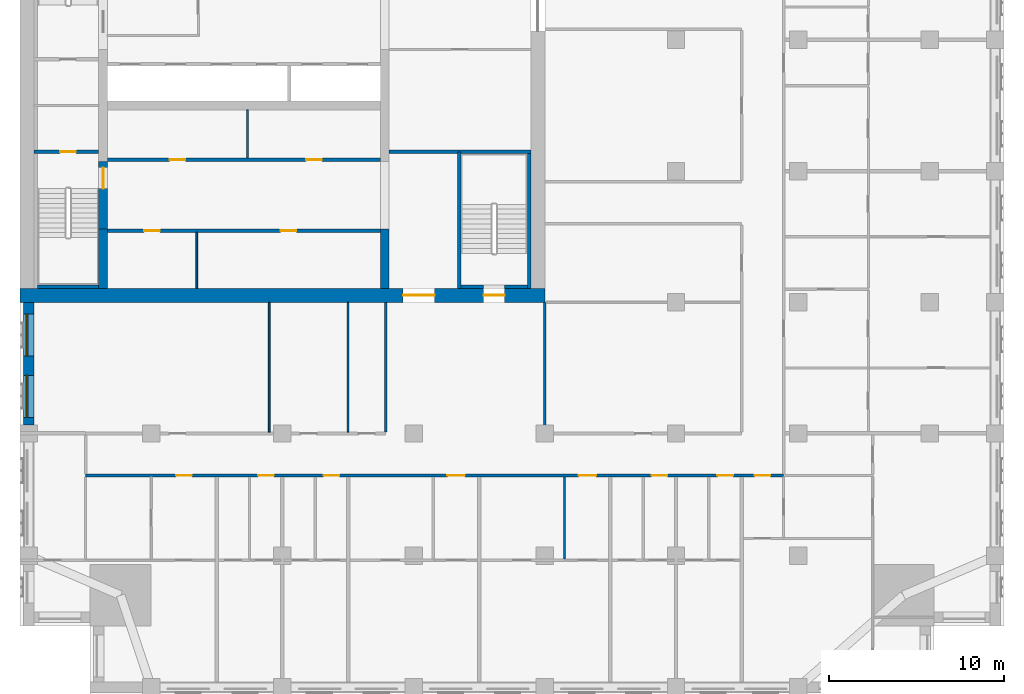
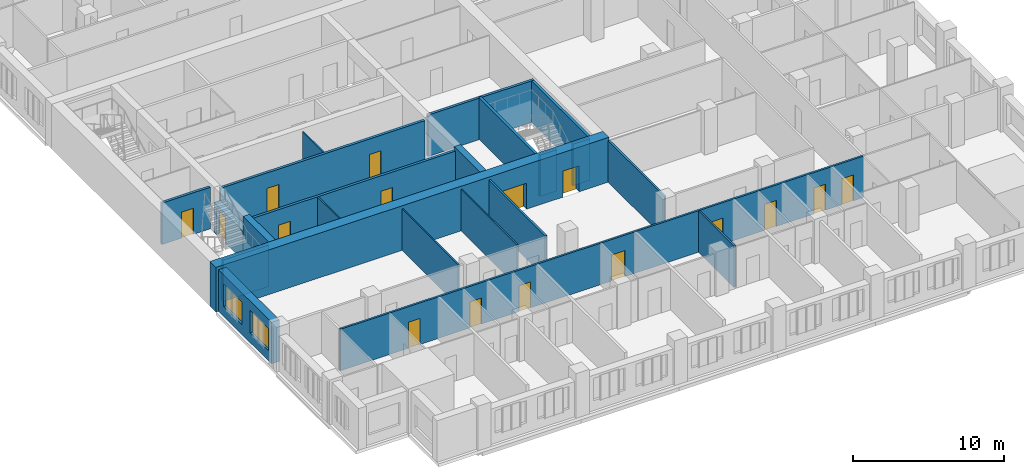
# One storey, part 5 of 14: 22 walls, 16 doors, 2 windows, 18 openings.
"""IFC4 building model written with IfcOpenShell, lengths in metres."""

from ifc_helpers import new_model, si_unit, direction, frame, frame_2d, origin, place, context, subcontext, project, spatial, rectangle, extrude, material, layer, layer_set, type_object, element, fill, save


model = new_model("IFC4")

# Units and contexts
model_context = context("Model", 3, precision=1e-05, world=origin(), true_north=direction((0.0, 1.0)))
body_context = subcontext(model_context, "Body", "Model", "MODEL_VIEW")
ifc_project = project(units=[si_unit("LENGTHUNIT", "METRE"), si_unit("AREAUNIT", "SQUARE_METRE"), si_unit("VOLUMEUNIT", "CUBIC_METRE"), si_unit("PLANEANGLEUNIT", "RADIAN"), si_unit("MASSUNIT", "GRAM", prefix="KILO")], contexts=[model_context])

# Site, building, storey
site_placement = place(None, origin())
site = spatial("IfcSite", under=ifc_project, at=site_placement, CompositionType="ELEMENT")
building_placement = place(site_placement, origin())
building = spatial("IfcBuilding", under=site, at=building_placement, Name="Tamorin Gate", CompositionType="ELEMENT")
storey_placement = place(building_placement, frame((0.0, 0.0, 141.0)))
storey = spatial("IfcBuildingStorey", under=building, at=storey_placement, Name="L34", CompositionType="ELEMENT", Elevation=141.0)

# Wall, openings, windows
ifc_material_1 = material(Name="Precast concrete C40/50", Category="concrete")
ifc_layer_1 = layer(ifc_material_1, 0.60009765625)
ifc_layer_set_1 = layer_set([ifc_layer_1], Name="Precast concrete C40/50")
wall_type_1 = type_object("IfcWallType", Name="Board-marked concrete facade panel 600", PredefinedType="SOLIDWALL", material=ifc_layer_set_1)
wall_1_placement = place(storey_placement, frame((30.5, 60.0, 0.0), z_axis=(0.0, 0.0, 1.0), x_axis=(0.0, -1.0, 0.0)))
wall_1 = element("IfcWall", 1, at=wall_1_placement, inside=storey, type_object=wall_type_1, Name="Facade panel", PredefinedType="SOLIDWALL", context=body_context, shape_type="SweptSolid", body=[
    extrude(rectangle(XDim=7.0, YDim=0.60009765625, at=frame_2d((3.5, 0.0))), origin(), (0.0, 0.0, 1.0), 3.35009765625),
])
opening_1_placement = place(wall_1_placement, frame((4.175048828125, 0.0, 0.800048828125)))
opening_1 = element("IfcOpeningElement", 2, at=opening_1_placement, cuts=wall_1, Name="Opening WN1", PredefinedType="OPENING", context=body_context, shape_type="SweptSolid", body=[
    extrude(rectangle(XDim=2.39990234375, YDim=1.800048828125, at=frame_2d((1.199951171875, 0.89990234375))), frame((0.0, 0.31005859375, 0.0), z_axis=(0.0, -1.0, 0.0), x_axis=(1.0, 0.0, 0.0)), (0.0, 0.0, 1.0), 0.6201171875),
])
opening_2_placement = place(wall_1_placement, frame((0.675048828125, 0.0, 0.800048828125)))
opening_2 = element("IfcOpeningElement", 3, at=opening_2_placement, cuts=wall_1, Name="Opening WN1", PredefinedType="OPENING", context=body_context, shape_type="SweptSolid", body=[
    extrude(rectangle(XDim=2.39990234375, YDim=1.800048828125, at=frame_2d((1.199951171875, 0.89990234375))), frame((0.0, 0.31005859375, 0.0), z_axis=(0.0, -1.0, 0.0), x_axis=(1.0, 0.0, 0.0)), (0.0, 0.0, 1.0), 0.6201171875),
])
ifc_material_2 = material(Name="Clear glass in aluminium frame", Category="aluminium")
window_type = type_object("IfcWindowType", Name="Deep-set window 2400x1800", PartitioningType="SINGLE_PANEL", PredefinedType="WINDOW", material=ifc_material_2)
window_1_placement = place(opening_1_placement, origin())
window_1 = element("IfcWindow", 4, at=window_1_placement, inside=storey, type_object=window_type, Name="Deep-set window", OverallHeight=1.800048828125, OverallWidth=2.39990234375, PartitioningType="SINGLE_PANEL", PredefinedType="WINDOW", context=body_context, shape_type="SweptSolid", body=[
    extrude(rectangle(XDim=2.39990234375, YDim=1.800048828125, at=frame_2d((1.199951171875, 0.89990234375))), frame((0.0, -0.070068359375, 0.0), z_axis=(0.0, -1.0, 0.0), x_axis=(1.0, 0.0, 0.0)), (0.0, 0.0, 1.0), 0.06005859375),
])
fill(opening_1, window_1)
window_2_placement = place(opening_2_placement, origin())
window_2 = element("IfcWindow", 5, at=window_2_placement, inside=storey, type_object=window_type, Name="Deep-set window", OverallHeight=1.800048828125, OverallWidth=2.39990234375, PartitioningType="SINGLE_PANEL", PredefinedType="WINDOW", context=body_context, shape_type="SweptSolid", body=[
    extrude(rectangle(XDim=2.39990234375, YDim=1.800048828125, at=frame_2d((1.199951171875, 0.89990234375))), frame((0.0, -0.070068359375, 0.0), z_axis=(0.0, -1.0, 0.0), x_axis=(1.0, 0.0, 0.0)), (0.0, 0.0, 1.0), 0.06005859375),
])
fill(opening_2, window_2)

# Wall, openings, doors
ifc_material_3 = material(Name="Gypsum board partition")
ifc_layer_2 = layer(ifc_material_3, 0.14990234375)
ifc_layer_set_2 = layer_set([ifc_layer_2], Name="Corridor wall 150")
wall_type_2 = type_object("IfcWallType", Name="Corridor wall 150", PredefinedType="PARTITIONING", material=ifc_layer_set_2)
wall_2_placement = place(storey_placement, frame((33.75, 50.10009765625, 0.0), z_axis=(0.0, 0.0, 1.0), x_axis=(1.0, 0.0, 0.0)))
wall_2 = element("IfcWall", 6, at=wall_2_placement, inside=storey, type_object=wall_type_2, Name="Corridor wall 150", PredefinedType="PARTITIONING", context=body_context, shape_type="SweptSolid", body=[
    extrude(rectangle(XDim=39.89990234375, YDim=0.14990234375, at=frame_2d((19.949951171875, 0.0))), origin(), (0.0, 0.0, 1.0), 3.35009765625),
])
opening_3_placement = place(wall_2_placement, frame((5.175048828125, 0.0, 0.0)))
opening_3 = element("IfcOpeningElement", 7, at=opening_3_placement, cuts=wall_2, Name="Opening DS4003", PredefinedType="OPENING", context=body_context, shape_type="SweptSolid", body=[
    extrude(rectangle(XDim=0.89990234375, YDim=2.10009765625, at=frame_2d((0.449951171875, 1.050048828125))), frame((0.0, 0.0849609375, 0.0), z_axis=(0.0, -1.0, 0.0), x_axis=(1.0, 0.0, 0.0)), (0.0, 0.0, 1.0), 0.169921875),
])
opening_4_placement = place(wall_2_placement, frame((9.862548828125, 0.0, 0.0)))
opening_4 = element("IfcOpeningElement", 8, at=opening_4_placement, cuts=wall_2, Name="Opening DS4006", PredefinedType="OPENING", context=body_context, shape_type="SweptSolid", body=[
    extrude(rectangle(XDim=0.89990234375, YDim=2.10009765625, at=frame_2d((0.449951171875, 1.050048828125))), frame((0.0, 0.0849609375, 0.0), z_axis=(0.0, -1.0, 0.0), x_axis=(1.0, 0.0, 0.0)), (0.0, 0.0, 1.0), 0.169921875),
])
opening_5_placement = place(wall_2_placement, frame((13.612548828125, 0.0, 0.0)))
opening_5 = element("IfcOpeningElement", 9, at=opening_5_placement, cuts=wall_2, Name="Opening DS4009", PredefinedType="OPENING", context=body_context, shape_type="SweptSolid", body=[
    extrude(rectangle(XDim=0.89990234375, YDim=2.10009765625, at=frame_2d((0.449951171875, 1.050048828125))), frame((0.0, 0.0849609375, 0.0), z_axis=(0.0, -1.0, 0.0), x_axis=(1.0, 0.0, 0.0)), (0.0, 0.0, 1.0), 0.169921875),
])
opening_6_placement = place(wall_2_placement, frame((20.6875, 0.0, 0.0)))
opening_6 = element("IfcOpeningElement", 10, at=opening_6_placement, cuts=wall_2, Name="Opening DS4012", PredefinedType="OPENING", context=body_context, shape_type="SweptSolid", body=[
    extrude(rectangle(XDim=1.0, YDim=2.10009765625, at=frame_2d((0.5, 1.050048828125))), frame((0.0, 0.0849609375, 0.0), z_axis=(0.0, -1.0, 0.0), x_axis=(1.0, 0.0, 0.0)), (0.0, 0.0, 1.0), 0.169921875),
])
opening_7_placement = place(wall_2_placement, frame((28.1875, 0.0, 0.0)))
opening_7 = element("IfcOpeningElement", 11, at=opening_7_placement, cuts=wall_2, Name="Opening DS4015", PredefinedType="OPENING", context=body_context, shape_type="SweptSolid", body=[
    extrude(rectangle(XDim=1.0, YDim=2.10009765625, at=frame_2d((0.5, 1.050048828125))), frame((0.0, 0.0849609375, 0.0), z_axis=(0.0, -1.0, 0.0), x_axis=(1.0, 0.0, 0.0)), (0.0, 0.0, 1.0), 0.169921875),
])
opening_8_placement = place(wall_2_placement, frame((32.362548828125, 0.0, 0.0)))
opening_8 = element("IfcOpeningElement", 12, at=opening_8_placement, cuts=wall_2, Name="Opening DS4018", PredefinedType="OPENING", context=body_context, shape_type="SweptSolid", body=[
    extrude(rectangle(XDim=0.89990234375, YDim=2.10009765625, at=frame_2d((0.449951171875, 1.050048828125))), frame((0.0, 0.0849609375, 0.0), z_axis=(0.0, -1.0, 0.0), x_axis=(1.0, 0.0, 0.0)), (0.0, 0.0, 1.0), 0.169921875),
])
opening_9_placement = place(wall_2_placement, frame((36.112548828125, 0.0, 0.0)))
opening_9 = element("IfcOpeningElement", 13, at=opening_9_placement, cuts=wall_2, Name="Opening DS4021", PredefinedType="OPENING", context=body_context, shape_type="SweptSolid", body=[
    extrude(rectangle(XDim=0.89990234375, YDim=2.10009765625, at=frame_2d((0.449951171875, 1.050048828125))), frame((0.0, 0.0849609375, 0.0), z_axis=(0.0, -1.0, 0.0), x_axis=(1.0, 0.0, 0.0)), (0.0, 0.0, 1.0), 0.169921875),
])
opening_10_placement = place(wall_2_placement, frame((38.25, 0.0, 0.0)))
opening_10 = element("IfcOpeningElement", 14, at=opening_10_placement, cuts=wall_2, Name="Opening DS4059", PredefinedType="OPENING", context=body_context, shape_type="SweptSolid", body=[
    extrude(rectangle(XDim=0.89990234375, YDim=2.10009765625, at=frame_2d((0.449951171875, 1.050048828125))), frame((0.0, 0.0849609375, 0.0), z_axis=(0.0, -1.0, 0.0), x_axis=(1.0, 0.0, 0.0)), (0.0, 0.0, 1.0), 0.169921875),
])
ifc_material_4 = material(Name="Timber door leaf", Category="wood")
door_type_1 = type_object("IfcDoorType", Name="Door 1000 x 2100 FD30S", OperationType="NOTDEFINED", PredefinedType="DOOR", material=ifc_material_4)
door_1_placement = place(opening_6_placement, origin())
door_1 = element("IfcDoor", 15, at=door_1_placement, inside=storey, type_object=door_type_1, Name="Door DS4012", OperationType="SINGLE_SWING_RIGHT", OverallHeight=2.10009765625, OverallWidth=1.0, PredefinedType="DOOR", context=body_context, shape_type="SweptSolid", body=[
    extrude(rectangle(XDim=1.0, YDim=2.10009765625, at=frame_2d((0.5, 1.050048828125))), frame((0.0, 0.02490234375, 0.0), z_axis=(0.0, -1.0, 0.0), x_axis=(1.0, 0.0, 0.0)), (0.0, 0.0, 1.0), 0.050048828125),
])
fill(opening_6, door_1)
door_2_placement = place(opening_7_placement, origin())
door_2 = element("IfcDoor", 16, at=door_2_placement, inside=storey, type_object=door_type_1, Name="Door DS4015", OperationType="SINGLE_SWING_RIGHT", OverallHeight=2.10009765625, OverallWidth=1.0, PredefinedType="DOOR", context=body_context, shape_type="SweptSolid", body=[
    extrude(rectangle(XDim=1.0, YDim=2.10009765625, at=frame_2d((0.5, 1.050048828125))), frame((0.0, 0.02490234375, 0.0), z_axis=(0.0, -1.0, 0.0), x_axis=(1.0, 0.0, 0.0)), (0.0, 0.0, 1.0), 0.050048828125),
])
fill(opening_7, door_2)
door_type_2 = type_object("IfcDoorType", Name="Door 900 x 2100 FD30S", OperationType="NOTDEFINED", PredefinedType="DOOR", material=ifc_material_4)
door_3_placement = place(opening_3_placement, origin())
door_3 = element("IfcDoor", 17, at=door_3_placement, inside=storey, type_object=door_type_2, Name="Door DS4003", OperationType="SINGLE_SWING_RIGHT", OverallHeight=2.10009765625, OverallWidth=0.89990234375, PredefinedType="DOOR", context=body_context, shape_type="SweptSolid", body=[
    extrude(rectangle(XDim=0.89990234375, YDim=2.10009765625, at=frame_2d((0.449951171875, 1.050048828125))), frame((0.0, 0.02490234375, 0.0), z_axis=(0.0, -1.0, 0.0), x_axis=(1.0, 0.0, 0.0)), (0.0, 0.0, 1.0), 0.050048828125),
])
fill(opening_3, door_3)
door_4_placement = place(opening_4_placement, origin())
door_4 = element("IfcDoor", 18, at=door_4_placement, inside=storey, type_object=door_type_2, Name="Door DS4006", OperationType="SINGLE_SWING_RIGHT", OverallHeight=2.10009765625, OverallWidth=0.89990234375, PredefinedType="DOOR", context=body_context, shape_type="SweptSolid", body=[
    extrude(rectangle(XDim=0.89990234375, YDim=2.10009765625, at=frame_2d((0.449951171875, 1.050048828125))), frame((0.0, 0.02490234375, 0.0), z_axis=(0.0, -1.0, 0.0), x_axis=(1.0, 0.0, 0.0)), (0.0, 0.0, 1.0), 0.050048828125),
])
fill(opening_4, door_4)
door_5_placement = place(opening_5_placement, origin())
door_5 = element("IfcDoor", 19, at=door_5_placement, inside=storey, type_object=door_type_2, Name="Door DS4009", OperationType="SINGLE_SWING_RIGHT", OverallHeight=2.10009765625, OverallWidth=0.89990234375, PredefinedType="DOOR", context=body_context, shape_type="SweptSolid", body=[
    extrude(rectangle(XDim=0.89990234375, YDim=2.10009765625, at=frame_2d((0.449951171875, 1.050048828125))), frame((0.0, 0.02490234375, 0.0), z_axis=(0.0, -1.0, 0.0), x_axis=(1.0, 0.0, 0.0)), (0.0, 0.0, 1.0), 0.050048828125),
])
fill(opening_5, door_5)
door_6_placement = place(opening_8_placement, origin())
door_6 = element("IfcDoor", 20, at=door_6_placement, inside=storey, type_object=door_type_2, Name="Door DS4018", OperationType="SINGLE_SWING_RIGHT", OverallHeight=2.10009765625, OverallWidth=0.89990234375, PredefinedType="DOOR", context=body_context, shape_type="SweptSolid", body=[
    extrude(rectangle(XDim=0.89990234375, YDim=2.10009765625, at=frame_2d((0.449951171875, 1.050048828125))), frame((0.0, 0.02490234375, 0.0), z_axis=(0.0, -1.0, 0.0), x_axis=(1.0, 0.0, 0.0)), (0.0, 0.0, 1.0), 0.050048828125),
])
fill(opening_8, door_6)
door_7_placement = place(opening_9_placement, origin())
door_7 = element("IfcDoor", 21, at=door_7_placement, inside=storey, type_object=door_type_2, Name="Door DS4021", OperationType="SINGLE_SWING_RIGHT", OverallHeight=2.10009765625, OverallWidth=0.89990234375, PredefinedType="DOOR", context=body_context, shape_type="SweptSolid", body=[
    extrude(rectangle(XDim=0.89990234375, YDim=2.10009765625, at=frame_2d((0.449951171875, 1.050048828125))), frame((0.0, 0.02490234375, 0.0), z_axis=(0.0, -1.0, 0.0), x_axis=(1.0, 0.0, 0.0)), (0.0, 0.0, 1.0), 0.050048828125),
])
fill(opening_9, door_7)
door_8_placement = place(opening_10_placement, origin())
door_8 = element("IfcDoor", 22, at=door_8_placement, inside=storey, type_object=door_type_2, Name="Door DS4059", OperationType="SINGLE_SWING_LEFT", OverallHeight=2.10009765625, OverallWidth=0.89990234375, PredefinedType="DOOR", context=body_context, shape_type="SweptSolid", body=[
    extrude(rectangle(XDim=0.89990234375, YDim=2.10009765625, at=frame_2d((0.449951171875, 1.050048828125))), frame((0.0, 0.02490234375, 0.0), z_axis=(0.0, -1.0, 0.0), x_axis=(1.0, 0.0, 0.0)), (0.0, 0.0, 1.0), 0.050048828125),
])
fill(opening_10, door_8)

# Walls
ifc_layer_3 = layer(ifc_material_3, 0.14990234375)
ifc_layer_set_3 = layer_set([ifc_layer_3], Name="Lobby wall 150")
wall_type_3 = type_object("IfcWallType", Name="Lobby wall 150", PredefinedType="PARTITIONING", material=ifc_layer_set_3)
for number, where, z_axis, x_axis, name in (
    (23, (50.89990234375, 52.574951171875, 0.0), (0.0, 0.0, 1.0), (0.0, 1.0, 0.0), "Lobby wall 150"),
    (24, (60.0, 52.574951171875, 0.0), (0.0, 0.0, 1.0), (0.0, 1.0, 0.0), "Lobby wall 150"),
):
    element("IfcWall", number, at=place(storey_placement, frame(where, z_axis=z_axis, x_axis=x_axis)), inside=storey, type_object=wall_type_3, Name=name, PredefinedType="PARTITIONING", context=body_context, shape_type="SweptSolid", body=[
        extrude(rectangle(XDim=7.425048828125, YDim=0.14990234375, at=frame_2d((3.71240234375, 0.0))), origin(), (0.0, 0.0, 1.0), 3.35009765625),
    ])
ifc_material_5 = material(Name="Concrete C60/75", Category="concrete")
ifc_layer_4 = layer(ifc_material_5, 0.5)
ifc_layer_set_4 = layer_set([ifc_layer_4], Name="RC core internal wall 500 C60/75")
wall_type_4 = type_object("IfcWallType", Name="RC core internal wall 500 C60/75", PredefinedType="SHEAR", material=ifc_layer_set_4)
for number, where, z_axis, x_axis, name in (
    (25, (34.75, 60.800048828125, 0.0), (0.0, 0.0, 1.0), (0.0, 1.0, 0.0), "Core cross wall L34"),
    (26, (50.85009765625, 60.800048828125, 0.0), (0.0, 0.0, 1.0), (0.0, 1.0, 0.0), "Core cross wall L34"),
):
    element("IfcWall", number, at=place(storey_placement, frame(where, z_axis=z_axis, x_axis=x_axis)), inside=storey, type_object=wall_type_4, Name=name, PredefinedType="SHEAR", context=body_context, shape_type="SweptSolid", body=[
        extrude(rectangle(XDim=3.39990234375, YDim=0.5, at=frame_2d((1.699951171875, 0.0))), origin(), (0.0, 0.0, 1.0), 3.60009765625),
    ])

# Wall, openings, doors
ifc_layer_5 = layer(ifc_material_5, 0.800048828125)
ifc_layer_set_5 = layer_set([ifc_layer_5], Name="RC core wall 800 C60/75")
wall_type_5 = type_object("IfcWallType", Name="RC core wall 800 C60/75", PredefinedType="SHEAR", material=ifc_layer_set_5)
wall_3_placement = place(storey_placement, frame((30.0, 60.39990234375, 0.0), z_axis=(0.0, 0.0, 1.0), x_axis=(1.0, 0.0, 0.0)))
wall_3 = element("IfcWall", 27, at=wall_3_placement, inside=storey, type_object=wall_type_5, Name="Core wall L34", PredefinedType="SHEAR", context=body_context, shape_type="SweptSolid", body=[
    extrude(rectangle(XDim=30.0, YDim=0.800048828125, at=frame_2d((15.0, 0.0))), origin(), (0.0, 0.0, 1.0), 3.60009765625),
])
opening_11_placement = place(wall_3_placement, frame((21.89990234375, 0.0, 0.0)))
opening_11 = element("IfcOpeningElement", 28, at=opening_11_placement, cuts=wall_3, Name="Opening DE1", PredefinedType="OPENING", context=body_context, shape_type="SweptSolid", body=[
    extrude(rectangle(XDim=1.800048828125, YDim=2.10009765625, at=frame_2d((0.89990234375, 1.050048828125))), frame((0.0, 0.409912109375, 0.0), z_axis=(0.0, -1.0, 0.0), x_axis=(1.0, 0.0, 0.0)), (0.0, 0.0, 1.0), 0.820068359375),
])
opening_12_placement = place(wall_3_placement, frame((26.5, 0.0, 0.0)))
opening_12 = element("IfcOpeningElement", 29, at=opening_12_placement, cuts=wall_3, Name="Opening DS1", PredefinedType="OPENING", context=body_context, shape_type="SweptSolid", body=[
    extrude(rectangle(XDim=1.199951171875, YDim=2.10009765625, at=frame_2d((0.60009765625, 1.050048828125))), frame((0.0, 0.409912109375, 0.0), z_axis=(0.0, -1.0, 0.0), x_axis=(1.0, 0.0, 0.0)), (0.0, 0.0, 1.0), 0.820068359375),
])
ifc_material_6 = material(Name="Steel fire door", Category="steel")
door_type_3 = type_object("IfcDoorType", Name="Lobby exit double door 1800 x 2100 EI 60", OperationType="DOUBLE_DOOR_SINGLE_SWING", PredefinedType="DOOR", material=ifc_material_6)
door_9_placement = place(opening_11_placement, origin())
door_9 = element("IfcDoor", 30, at=door_9_placement, inside=storey, type_object=door_type_3, Name="Lift lobby A exit door", OperationType="DOUBLE_DOOR_SINGLE_SWING", OverallHeight=2.10009765625, OverallWidth=1.800048828125, PredefinedType="DOOR", context=body_context, shape_type="SweptSolid", body=[
    extrude(rectangle(XDim=1.800048828125, YDim=2.10009765625, at=frame_2d((0.89990234375, 1.050048828125))), frame((0.0, 0.02490234375, 0.0), z_axis=(0.0, -1.0, 0.0), x_axis=(1.0, 0.0, 0.0)), (0.0, 0.0, 1.0), 0.050048828125),
])
fill(opening_11, door_9)
door_type_4 = type_object("IfcDoorType", Name="Stair door 1200 x 2100 EI 90", OperationType="SINGLE_SWING_LEFT", PredefinedType="DOOR", material=ifc_material_6)
door_10_placement = place(opening_12_placement, origin())
door_10 = element("IfcDoor", 31, at=door_10_placement, inside=storey, type_object=door_type_4, Name="ST3 door", OperationType="SINGLE_SWING_LEFT", OverallHeight=2.10009765625, OverallWidth=1.199951171875, PredefinedType="DOOR", context=body_context, shape_type="SweptSolid", body=[
    extrude(rectangle(XDim=1.199951171875, YDim=2.10009765625, at=frame_2d((0.60009765625, 1.050048828125))), frame((0.0, 0.02490234375, 0.0), z_axis=(0.0, -1.0, 0.0), x_axis=(1.0, 0.0, 0.0)), (0.0, 0.0, 1.0), 0.050048828125),
])
fill(opening_12, door_10)

# Walls
ifc_layer_6 = layer(ifc_material_3, 0.10009765625)
ifc_layer_set_6 = layer_set([ifc_layer_6], Name="Room partition 100")
wall_type_6 = type_object("IfcWallType", Name="Room partition 100", PredefinedType="PARTITIONING", material=ifc_layer_set_6)
for number, where, z_axis, x_axis, name in (
    (32, (44.25, 52.574951171875, 0.0), (0.0, 0.0, 1.0), (0.0, 1.0, 0.0), "Room partition 100"),
    (33, (48.75, 52.574951171875, 0.0), (0.0, 0.0, 1.0), (0.0, 1.0, 0.0), "Room partition 100"),
):
    element("IfcWall", number, at=place(storey_placement, frame(where, z_axis=z_axis, x_axis=x_axis)), inside=storey, type_object=wall_type_6, Name=name, PredefinedType="PARTITIONING", context=body_context, shape_type="SweptSolid", body=[
        extrude(rectangle(XDim=7.425048828125, YDim=0.10009765625, at=frame_2d((3.71240234375, 0.0))), origin(), (0.0, 0.0, 1.0), 3.35009765625),
    ])

# Wall, openings, doors
ifc_layer_7 = layer(ifc_material_3, 0.199951171875)
ifc_layer_set_7 = layer_set([ifc_layer_7], Name="Service room face wall 200 EI 60")
wall_type_7 = type_object("IfcWallType", Name="Service room face wall 200 EI 60", PredefinedType="PARTITIONING", material=ifc_layer_set_7)
wall_4_placement = place(storey_placement, frame((35.0, 64.10009765625, 0.0), z_axis=(0.0, 0.0, 1.0), x_axis=(1.0, 0.0, 0.0)))
wall_4 = element("IfcWall", 34, at=wall_4_placement, inside=storey, type_object=wall_type_7, Name="Service room face wall", PredefinedType="PARTITIONING", context=body_context, shape_type="SweptSolid", body=[
    extrude(rectangle(XDim=15.60009765625, YDim=0.199951171875, at=frame_2d((7.800048828125, 0.0))), origin(), (0.0, 0.0, 1.0), 3.35009765625),
])
opening_13_placement = place(wall_4_placement, frame((2.10009765625, 0.0, 0.0)))
opening_13 = element("IfcOpeningElement", 35, at=opening_13_placement, cuts=wall_4, Name="Opening DK1", PredefinedType="OPENING", context=body_context, shape_type="SweptSolid", body=[
    extrude(rectangle(XDim=0.89990234375, YDim=2.10009765625, at=frame_2d((0.449951171875, 1.050048828125))), frame((0.0, 0.10986328125, 0.0), z_axis=(0.0, -1.0, 0.0), x_axis=(1.0, 0.0, 0.0)), (0.0, 0.0, 1.0), 0.219970703125),
])
opening_14_placement = place(wall_4_placement, frame((9.89990234375, 0.0, 0.0)))
opening_14 = element("IfcOpeningElement", 36, at=opening_14_placement, cuts=wall_4, Name="Opening DK1", PredefinedType="OPENING", context=body_context, shape_type="SweptSolid", body=[
    extrude(rectangle(XDim=0.89990234375, YDim=2.10009765625, at=frame_2d((0.449951171875, 1.050048828125))), frame((0.0, 0.10986328125, 0.0), z_axis=(0.0, -1.0, 0.0), x_axis=(1.0, 0.0, 0.0)), (0.0, 0.0, 1.0), 0.219970703125),
])
ifc_material_7 = material(Name="Timber fire door", Category="wood")
door_type_5 = type_object("IfcDoorType", Name="Service room door 900 x 2100 EI 60", OperationType="SINGLE_SWING_LEFT", PredefinedType="DOOR", material=ifc_material_7)
door_11_placement = place(opening_13_placement, origin())
door_11 = element("IfcDoor", 37, at=door_11_placement, inside=storey, type_object=door_type_5, Name="Door Pantry", OperationType="SINGLE_SWING_RIGHT", OverallHeight=2.10009765625, OverallWidth=0.89990234375, PredefinedType="DOOR", context=body_context, shape_type="SweptSolid", body=[
    extrude(rectangle(XDim=0.89990234375, YDim=2.10009765625, at=frame_2d((0.449951171875, 1.050048828125))), frame((0.0, 0.02490234375, 0.0), z_axis=(0.0, -1.0, 0.0), x_axis=(1.0, 0.0, 0.0)), (0.0, 0.0, 1.0), 0.050048828125),
])
fill(opening_13, door_11)
door_12_placement = place(opening_14_placement, origin())
door_12 = element("IfcDoor", 38, at=door_12_placement, inside=storey, type_object=door_type_5, Name="Door Linen store", OperationType="SINGLE_SWING_LEFT", OverallHeight=2.10009765625, OverallWidth=0.89990234375, PredefinedType="DOOR", context=body_context, shape_type="SweptSolid", body=[
    extrude(rectangle(XDim=0.89990234375, YDim=2.10009765625, at=frame_2d((0.449951171875, 1.050048828125))), frame((0.0, 0.02490234375, 0.0), z_axis=(0.0, -1.0, 0.0), x_axis=(1.0, 0.0, 0.0)), (0.0, 0.0, 1.0), 0.050048828125),
])
fill(opening_14, door_12)

wall_5_placement = place(storey_placement, frame((35.0, 68.14990234375, 0.0), z_axis=(0.0, 0.0, 1.0), x_axis=(1.0, 0.0, 0.0)))
wall_5 = element("IfcWall", 39, at=wall_5_placement, inside=storey, type_object=wall_type_7, Name="Service room face wall", PredefinedType="PARTITIONING", context=body_context, shape_type="SweptSolid", body=[
    extrude(rectangle(XDim=15.60009765625, YDim=0.199951171875, at=frame_2d((7.800048828125, 0.0))), origin(), (0.0, 0.0, 1.0), 3.35009765625),
])
opening_15_placement = place(wall_5_placement, frame((3.550048828125, 0.0, 0.0)))
opening_15 = element("IfcOpeningElement", 40, at=opening_15_placement, cuts=wall_5, Name="Opening DK1", PredefinedType="OPENING", context=body_context, shape_type="SweptSolid", body=[
    extrude(rectangle(XDim=0.89990234375, YDim=2.10009765625, at=frame_2d((0.449951171875, 1.050048828125))), frame((0.0, 0.10986328125, 0.0), z_axis=(0.0, -1.0, 0.0), x_axis=(1.0, 0.0, 0.0)), (0.0, 0.0, 1.0), 0.219970703125),
])
opening_16_placement = place(wall_5_placement, frame((11.35009765625, 0.0, 0.0)))
opening_16 = element("IfcOpeningElement", 41, at=opening_16_placement, cuts=wall_5, Name="Opening DK1", PredefinedType="OPENING", context=body_context, shape_type="SweptSolid", body=[
    extrude(rectangle(XDim=0.89990234375, YDim=2.10009765625, at=frame_2d((0.449951171875, 1.050048828125))), frame((0.0, 0.10986328125, 0.0), z_axis=(0.0, -1.0, 0.0), x_axis=(1.0, 0.0, 0.0)), (0.0, 0.0, 1.0), 0.219970703125),
])
door_13_placement = place(opening_15_placement, origin())
door_13 = element("IfcDoor", 42, at=door_13_placement, inside=storey, type_object=door_type_5, Name="Door Linen store", OperationType="SINGLE_SWING_RIGHT", OverallHeight=2.10009765625, OverallWidth=0.89990234375, PredefinedType="DOOR", context=body_context, shape_type="SweptSolid", body=[
    extrude(rectangle(XDim=0.89990234375, YDim=2.10009765625, at=frame_2d((0.449951171875, 1.050048828125))), frame((0.0, 0.02490234375, 0.0), z_axis=(0.0, -1.0, 0.0), x_axis=(1.0, 0.0, 0.0)), (0.0, 0.0, 1.0), 0.050048828125),
])
fill(opening_15, door_13)
door_14_placement = place(opening_16_placement, origin())
door_14 = element("IfcDoor", 43, at=door_14_placement, inside=storey, type_object=door_type_5, Name="Door Cleaner's store", OperationType="SINGLE_SWING_LEFT", OverallHeight=2.10009765625, OverallWidth=0.89990234375, PredefinedType="DOOR", context=body_context, shape_type="SweptSolid", body=[
    extrude(rectangle(XDim=0.89990234375, YDim=2.10009765625, at=frame_2d((0.449951171875, 1.050048828125))), frame((0.0, 0.02490234375, 0.0), z_axis=(0.0, -1.0, 0.0), x_axis=(1.0, 0.0, 0.0)), (0.0, 0.0, 1.0), 0.050048828125),
])
fill(opening_16, door_14)

# Walls
ifc_layer_8 = layer(ifc_material_3, 0.10009765625)
ifc_layer_set_8 = layer_set([ifc_layer_8], Name="Service room partition 100 EI 60")
wall_type_8 = type_object("IfcWallType", Name="Service room partition 100 EI 60", PredefinedType="PARTITIONING", material=ifc_layer_set_8)
wall_6_placement = place(storey_placement, frame((40.10009765625, 60.800048828125, 0.0), z_axis=(0.0, 0.0, 1.0), x_axis=(0.0, 1.0, 0.0)))
element("IfcWall", 44, at=wall_6_placement, inside=storey, type_object=wall_type_8, Name="Service room partition", PredefinedType="PARTITIONING", context=body_context, shape_type="SweptSolid", body=[
    extrude(rectangle(XDim=3.199951171875, YDim=0.10009765625, at=frame_2d((1.60009765625, 0.0))), origin(), (0.0, 0.0, 1.0), 3.35009765625),
])
wall_7_placement = place(storey_placement, frame((43.0, 68.25, 0.0), z_axis=(0.0, 0.0, 1.0), x_axis=(0.0, 1.0, 0.0)))
element("IfcWall", 45, at=wall_7_placement, inside=storey, type_object=wall_type_8, Name="Service room partition", PredefinedType="PARTITIONING", context=body_context, shape_type="SweptSolid", body=[
    extrude(rectangle(XDim=2.75, YDim=0.10009765625, at=frame_2d((1.375, 0.0))), origin(), (0.0, 0.0, 1.0), 3.35009765625),
])

# Wall, opening, door
ifc_material_8 = material(Name="Concrete C40/50", Category="concrete")
ifc_layer_9 = layer(ifc_material_8, 0.199951171875)
ifc_layer_set_9 = layer_set([ifc_layer_9], Name="Stair enclosure wall 200 EI 120 C40/50")
wall_type_9 = type_object("IfcWallType", Name="Stair enclosure wall 200 EI 120 C40/50", PredefinedType="SOLIDWALL", material=ifc_layer_set_9)
wall_8_placement = place(storey_placement, frame((30.800048828125, 68.60009765625, 0.0), z_axis=(0.0, 0.0, 1.0), x_axis=(1.0, 0.0, 0.0)))
wall_8 = element("IfcWall", 46, at=wall_8_placement, inside=storey, type_object=wall_type_9, Name="Stair enclosure wall", PredefinedType="SOLIDWALL", context=body_context, shape_type="SweptSolid", body=[
    extrude(rectangle(XDim=3.699951171875, YDim=0.199951171875, at=frame_2d((1.85009765625, 0.0))), origin(), (0.0, 0.0, 1.0), 3.35009765625),
])
opening_17_placement = place(wall_8_placement, frame((1.5, 0.0, 0.0)))
opening_17 = element("IfcOpeningElement", 47, at=opening_17_placement, cuts=wall_8, Name="Opening DR1", PredefinedType="OPENING", context=body_context, shape_type="SweptSolid", body=[
    extrude(rectangle(XDim=0.89990234375, YDim=2.10009765625, at=frame_2d((0.449951171875, 1.050048828125))), frame((0.0, 0.10986328125, 0.0), z_axis=(0.0, -1.0, 0.0), x_axis=(1.0, 0.0, 0.0)), (0.0, 0.0, 1.0), 0.219970703125),
])
door_type_6 = type_object("IfcDoorType", Name="Riser access door 900 x 2100 EI 120", OperationType="SINGLE_SWING_LEFT", PredefinedType="DOOR", material=ifc_material_6)
door_15_placement = place(opening_17_placement, origin())
door_15 = element("IfcDoor", 48, at=door_15_placement, inside=storey, type_object=door_type_6, Name="Electrical riser door", OperationType="SINGLE_SWING_LEFT", OverallHeight=2.10009765625, OverallWidth=0.89990234375, PredefinedType="DOOR", context=body_context, shape_type="SweptSolid", body=[
    extrude(rectangle(XDim=0.89990234375, YDim=2.10009765625, at=frame_2d((0.449951171875, 1.050048828125))), frame((0.0, 0.02490234375, 0.0), z_axis=(0.0, -1.0, 0.0), x_axis=(1.0, 0.0, 0.0)), (0.0, 0.0, 1.0), 0.050048828125),
])
fill(opening_17, door_15)

# Walls
wall_9_placement = place(storey_placement, frame((55.10009765625, 60.800048828125, 0.0), z_axis=(0.0, 0.0, 1.0), x_axis=(0.0, 1.0, 0.0)))
element("IfcWall", 49, at=wall_9_placement, inside=storey, type_object=wall_type_9, Name="Stair enclosure wall", PredefinedType="SOLIDWALL", context=body_context, shape_type="SweptSolid", body=[
    extrude(rectangle(XDim=7.800048828125, YDim=0.199951171875, at=frame_2d((3.89990234375, 0.0))), origin(), (0.0, 0.0, 1.0), 3.35009765625),
])
wall_10_placement = place(storey_placement, frame((51.10009765625, 68.60009765625, 0.0), z_axis=(0.0, 0.0, 1.0), x_axis=(1.0, 0.0, 0.0)))
element("IfcWall", 50, at=wall_10_placement, inside=storey, type_object=wall_type_9, Name="Stair enclosure wall", PredefinedType="SOLIDWALL", context=body_context, shape_type="SweptSolid", body=[
    extrude(rectangle(XDim=8.099853515625, YDim=0.199951171875, at=frame_2d((4.0498046875, 0.0))), origin(), (0.0, 0.0, 1.0), 3.35009765625),
])
ifc_layer_10 = layer(ifc_material_5, 0.199951171875)
ifc_layer_set_10 = layer_set([ifc_layer_10], Name="Stair lining wall 200 EI 120 C60/75")
wall_type_10 = type_object("IfcWallType", Name="Stair lining wall 200 EI 120 C60/75", PredefinedType="SOLIDWALL", material=ifc_layer_set_10)
wall_11_placement = place(storey_placement, frame((31.0, 60.89990234375, 0.0), z_axis=(0.0, 0.0, 1.0), x_axis=(1.0, 0.0, 0.0)))
element("IfcWall", 51, at=wall_11_placement, inside=storey, type_object=wall_type_10, Name="Stair lining wall", PredefinedType="SOLIDWALL", context=body_context, shape_type="SweptSolid", body=[
    extrude(rectangle(XDim=3.5, YDim=0.199951171875, at=frame_2d((1.75, 0.0))), origin(), (0.0, 0.0, 1.0), 3.35009765625),
])
for number, where, z_axis, x_axis, name in (
    (52, (55.199951171875, 60.89990234375, 0.0), (0.0, 0.0, 1.0), (1.0, 0.0, 0.0), "Stair lining wall"),
    (53, (57.699951171875, 60.89990234375, 0.0), (0.0, 0.0, 1.0), (1.0, 0.0, 0.0), "Stair lining wall"),
):
    element("IfcWall", number, at=place(storey_placement, frame(where, z_axis=z_axis, x_axis=x_axis)), inside=storey, type_object=wall_type_10, Name=name, PredefinedType="SOLIDWALL", context=body_context, shape_type="SweptSolid", body=[
        extrude(rectangle(XDim=1.300048828125, YDim=0.199951171875, at=frame_2d((0.64990234375, 0.0))), origin(), (0.0, 0.0, 1.0), 3.35009765625),
    ])
wall_12_placement = place(storey_placement, frame((59.10009765625, 60.800048828125, 0.0), z_axis=(0.0, 0.0, 1.0), x_axis=(0.0, 1.0, 0.0)))
element("IfcWall", 54, at=wall_12_placement, inside=storey, type_object=wall_type_10, Name="Stair lining wall", PredefinedType="SOLIDWALL", context=body_context, shape_type="SweptSolid", body=[
    extrude(rectangle(XDim=7.699951171875, YDim=0.199951171875, at=frame_2d((3.85009765625, 0.0))), origin(), (0.0, 0.0, 1.0), 3.35009765625),
])

# Wall, opening, door
ifc_material_9 = material(Name="Concrete C32/40", Category="concrete")
ifc_layer_11 = layer(ifc_material_9, 0.5)
ifc_layer_set_11 = layer_set([ifc_layer_11], Name="Stair lobby infill wall 500 EI 120")
wall_type_11 = type_object("IfcWallType", Name="Stair lobby infill wall 500 EI 120", PredefinedType="SOLIDWALL", material=ifc_layer_set_11)
wall_13_placement = place(storey_placement, frame((34.75, 64.199951171875, 0.0), z_axis=(0.0, 0.0, 1.0), x_axis=(0.0, 1.0, 0.0)))
wall_13 = element("IfcWall", 55, at=wall_13_placement, inside=storey, type_object=wall_type_11, Name="Stair lobby infill wall", PredefinedType="SOLIDWALL", context=body_context, shape_type="SweptSolid", body=[
    extrude(rectangle(XDim=3.85009765625, YDim=0.5, at=frame_2d((1.925048828125, 0.0))), origin(), (0.0, 0.0, 1.0), 2.39990234375),
])
opening_18_placement = place(wall_13_placement, frame((2.300048828125, 0.0, 0.0)))
opening_18 = element("IfcOpeningElement", 56, at=opening_18_placement, cuts=wall_13, Name="Opening DS1", PredefinedType="OPENING", context=body_context, shape_type="SweptSolid", body=[
    extrude(rectangle(XDim=1.199951171875, YDim=2.10009765625, at=frame_2d((0.60009765625, 1.050048828125))), frame((0.0, 0.260009765625, 0.0), z_axis=(0.0, -1.0, 0.0), x_axis=(1.0, 0.0, 0.0)), (0.0, 0.0, 1.0), 0.52001953125),
])
door_16_placement = place(opening_18_placement, origin())
door_16 = element("IfcDoor", 57, at=door_16_placement, inside=storey, type_object=door_type_4, Name="ST1 door", OperationType="SINGLE_SWING_LEFT", OverallHeight=2.10009765625, OverallWidth=1.199951171875, PredefinedType="DOOR", context=body_context, shape_type="SweptSolid", body=[
    extrude(rectangle(XDim=1.199951171875, YDim=2.10009765625, at=frame_2d((0.60009765625, 1.050048828125))), frame((0.0, 0.02490234375, 0.0), z_axis=(0.0, -1.0, 0.0), x_axis=(1.0, 0.0, 0.0)), (0.0, 0.0, 1.0), 0.050048828125),
])
fill(opening_18, door_16)

# Wall
ifc_layer_12 = layer(ifc_material_3, 0.125)
ifc_layer_set_12 = layer_set([ifc_layer_12], Name="Wet wall 125")
wall_type_12 = type_object("IfcWallType", Name="Wet wall 125", PredefinedType="PARTITIONING", material=ifc_layer_set_12)
wall_14_placement = place(storey_placement, frame((61.125, 45.3125, 0.0), z_axis=(0.0, 0.0, 1.0), x_axis=(0.0, 1.0, 0.0)))
element("IfcWall", 58, at=wall_14_placement, inside=storey, type_object=wall_type_12, Name="Wet wall 125", PredefinedType="PARTITIONING", context=body_context, shape_type="SweptSolid", body=[
    extrude(rectangle(XDim=4.71240234375, YDim=0.125, at=frame_2d((2.356201171875, 0.0))), origin(), (0.0, 0.0, 1.0), 3.35009765625),
])

save(model, "model.ifc")
